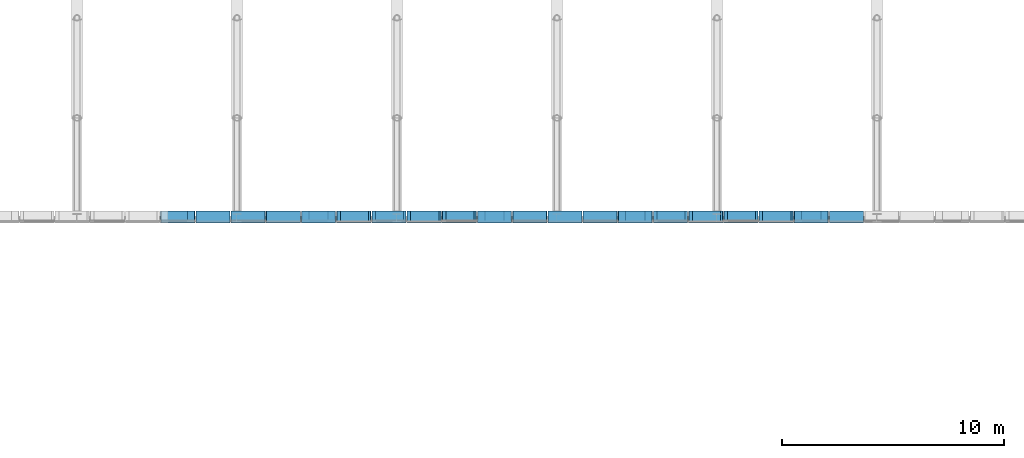
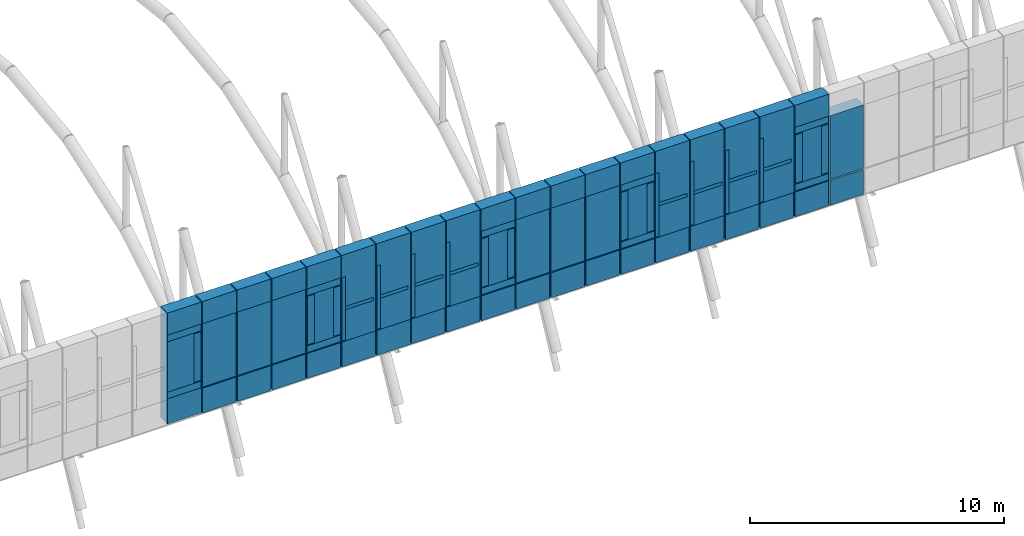
# One storey, part 115 of 144: 80 discrete accessories.
"""IFC4 building model written with IfcOpenShell, lengths in metres."""

from ifc_helpers import new_model, si_unit, direction, frame, origin, origin_2d, place, context, subcontext, project, spatial, rectangle, extrude, material, type_object, element, save


model = new_model("IFC4")

# Units and contexts
model_context = context("Model", 3, precision=1e-05, world=origin(), true_north=direction((0.0, 1.0)))
body_context = subcontext(model_context, "Body", "Model", "MODEL_VIEW")
ifc_project = project(units=[si_unit("LENGTHUNIT", "METRE"), si_unit("AREAUNIT", "SQUARE_METRE"), si_unit("VOLUMEUNIT", "CUBIC_METRE"), si_unit("PLANEANGLEUNIT", "RADIAN"), si_unit("MASSUNIT", "GRAM", prefix="KILO")], contexts=[model_context])

# Site, building, storey
site_placement = place(None, origin())
site = spatial("IfcSite", under=ifc_project, at=site_placement, CompositionType="ELEMENT")
building_placement = place(site_placement, origin())
building = spatial("IfcBuilding", under=site, at=building_placement, Name="Yarey Park Central Fire Station", CompositionType="ELEMENT")
storey_placement = place(building_placement, frame((0.0, 0.0, 10.199951171875)))
storey = spatial("IfcBuildingStorey", under=building, at=storey_placement, Name="L03", CompositionType="ELEMENT", Elevation=10.199951171875)

# Discrete accessories
ifc_material = material(Name="Stainless Steel AISI 316L", Category="steel")
discrete_accessory_type = type_object("IfcDiscreteAccessoryType", Name="ENV_BRK_SS1", PredefinedType="BRACKET", material=ifc_material)
for number, where, z_axis, x_axis, name in (
    (1, (83.736083984375, 57.64990234375, 0.81982421875), (0.0, 0.0, 1.0), (1.0, 0.0, 0.0), "BRK_PERF_L03_1428"),
    (2, (83.736083984375, 57.64990234375, 3.56005859375), (0.0, 0.0, 1.0), (1.0, 0.0, 0.0), "BRK_PERF_L03_1429"),
):
    element("IfcDiscreteAccessory", number, at=place(storey_placement, frame(where, z_axis=z_axis, x_axis=x_axis)), inside=storey, type_object=discrete_accessory_type, Name=name, PredefinedType="BRACKET", context=body_context, shape_type="SweptSolid", body=[
        extrude(rectangle(XDim=1.52392578125, YDim=0.5400390625, at=origin_2d()), origin(), (0.0, 0.0, 1.0), 0.320068359375),
    ])
discrete_accessory_1_placement = place(storey_placement, frame((84.327880859375, 57.64990234375, 1.18505859375), z_axis=(0.0, 0.0, 1.0), x_axis=(1.0, 0.0, 0.0)))
element("IfcDiscreteAccessory", 3, at=discrete_accessory_1_placement, inside=storey, type_object=discrete_accessory_type, Name="BRK_PERF_L03_1431", PredefinedType="BRACKET", context=body_context, shape_type="SweptSolid", body=[
    extrude(rectangle(XDim=0.320068359375, YDim=0.5400390625, at=origin_2d()), origin(), (0.0, 0.0, 1.0), 2.330078125),
])
discrete_accessory_2_placement = place(storey_placement, frame((83.736083984375, 57.64990234375, -0.389892578125), z_axis=(0.0, 0.0, 1.0), x_axis=(1.0, 0.0, 0.0)))
element("IfcDiscreteAccessory", 4, at=discrete_accessory_2_placement, inside=storey, type_object=discrete_accessory_type, Name="BRK_RAIL_L03_1432", PredefinedType="BRACKET", context=body_context, shape_type="SweptSolid", body=[
    extrude(rectangle(XDim=1.5439453125, YDim=0.5400390625, at=origin_2d()), origin(), (0.0, 0.0, 1.0), 5.330078125),
])
discrete_accessory_3_placement = place(storey_placement, frame((85.320068359375, 57.64990234375, -0.4248046875), z_axis=(0.0, 0.0, 1.0), x_axis=(1.0, 0.0, 0.0)))
element("IfcDiscreteAccessory", 5, at=discrete_accessory_3_placement, inside=storey, type_object=discrete_accessory_type, Name="BRK_PERF_L03_1433", PredefinedType="BRACKET", context=body_context, shape_type="SweptSolid", body=[
    extrude(rectangle(XDim=1.52392578125, YDim=0.5400390625, at=origin_2d()), origin(), (0.0, 0.0, 1.0), 1.199951171875),
])
discrete_accessory_4_placement = place(storey_placement, frame((85.320068359375, 57.64990234375, 0.8251953125), z_axis=(0.0, 0.0, 1.0), x_axis=(1.0, 0.0, 0.0)))
element("IfcDiscreteAccessory", 6, at=discrete_accessory_4_placement, inside=storey, type_object=discrete_accessory_type, Name="BRK_PERF_L03_1434", PredefinedType="BRACKET", context=body_context, shape_type="SweptSolid", body=[
    extrude(rectangle(XDim=1.52392578125, YDim=0.5400390625, at=origin_2d()), origin(), (0.0, 0.0, 1.0), 3.050048828125),
])
discrete_accessory_5_placement = place(storey_placement, frame((85.320068359375, 57.64990234375, -0.389892578125), z_axis=(0.0, 0.0, 1.0), x_axis=(1.0, 0.0, 0.0)))
element("IfcDiscreteAccessory", 7, at=discrete_accessory_5_placement, inside=storey, type_object=discrete_accessory_type, Name="BRK_RAIL_L03_1435", PredefinedType="BRACKET", context=body_context, shape_type="SweptSolid", body=[
    extrude(rectangle(XDim=1.5439453125, YDim=0.5400390625, at=origin_2d()), origin(), (0.0, 0.0, 1.0), 5.330078125),
])
discrete_accessory_6_placement = place(storey_placement, frame((86.904052734375, 57.64990234375, -0.4248046875), z_axis=(0.0, 0.0, 1.0), x_axis=(1.0, 0.0, 0.0)))
element("IfcDiscreteAccessory", 8, at=discrete_accessory_6_placement, inside=storey, type_object=discrete_accessory_type, Name="BRK_PERF_L03_1436", PredefinedType="BRACKET", context=body_context, shape_type="SweptSolid", body=[
    extrude(rectangle(XDim=1.52392578125, YDim=0.5400390625, at=origin_2d()), origin(), (0.0, 0.0, 1.0), 1.199951171875),
])
discrete_accessory_7_placement = place(storey_placement, frame((86.904052734375, 57.64990234375, 0.8251953125), z_axis=(0.0, 0.0, 1.0), x_axis=(1.0, 0.0, 0.0)))
element("IfcDiscreteAccessory", 9, at=discrete_accessory_7_placement, inside=storey, type_object=discrete_accessory_type, Name="BRK_PERF_L03_1437", PredefinedType="BRACKET", context=body_context, shape_type="SweptSolid", body=[
    extrude(rectangle(XDim=1.52392578125, YDim=0.5400390625, at=origin_2d()), origin(), (0.0, 0.0, 1.0), 3.050048828125),
])
discrete_accessory_8_placement = place(storey_placement, frame((86.904052734375, 57.64990234375, -0.389892578125), z_axis=(0.0, 0.0, 1.0), x_axis=(1.0, 0.0, 0.0)))
element("IfcDiscreteAccessory", 10, at=discrete_accessory_8_placement, inside=storey, type_object=discrete_accessory_type, Name="BRK_RAIL_L03_1438", PredefinedType="BRACKET", context=body_context, shape_type="SweptSolid", body=[
    extrude(rectangle(XDim=1.5439453125, YDim=0.5400390625, at=origin_2d()), origin(), (0.0, 0.0, 1.0), 5.330078125),
])
discrete_accessory_9_placement = place(storey_placement, frame((88.488037109375, 57.64990234375, -0.4248046875), z_axis=(0.0, 0.0, 1.0), x_axis=(1.0, 0.0, 0.0)))
element("IfcDiscreteAccessory", 11, at=discrete_accessory_9_placement, inside=storey, type_object=discrete_accessory_type, Name="BRK_PERF_L03_1439", PredefinedType="BRACKET", context=body_context, shape_type="SweptSolid", body=[
    extrude(rectangle(XDim=1.52392578125, YDim=0.5400390625, at=origin_2d()), origin(), (0.0, 0.0, 1.0), 1.199951171875),
])
discrete_accessory_10_placement = place(storey_placement, frame((88.488037109375, 57.64990234375, 0.8251953125), z_axis=(0.0, 0.0, 1.0), x_axis=(1.0, 0.0, 0.0)))
element("IfcDiscreteAccessory", 12, at=discrete_accessory_10_placement, inside=storey, type_object=discrete_accessory_type, Name="BRK_PERF_L03_1440", PredefinedType="BRACKET", context=body_context, shape_type="SweptSolid", body=[
    extrude(rectangle(XDim=1.52392578125, YDim=0.5400390625, at=origin_2d()), origin(), (0.0, 0.0, 1.0), 3.050048828125),
])
discrete_accessory_11_placement = place(storey_placement, frame((88.488037109375, 57.64990234375, -0.389892578125), z_axis=(0.0, 0.0, 1.0), x_axis=(1.0, 0.0, 0.0)))
element("IfcDiscreteAccessory", 13, at=discrete_accessory_11_placement, inside=storey, type_object=discrete_accessory_type, Name="BRK_RAIL_L03_1441", PredefinedType="BRACKET", context=body_context, shape_type="SweptSolid", body=[
    extrude(rectangle(XDim=1.5439453125, YDim=0.5400390625, at=origin_2d()), origin(), (0.0, 0.0, 1.0), 5.330078125),
])
discrete_accessory_12_placement = place(storey_placement, frame((90.072021484375, 57.64990234375, -0.4248046875), z_axis=(0.0, 0.0, 1.0), x_axis=(1.0, 0.0, 0.0)))
element("IfcDiscreteAccessory", 14, at=discrete_accessory_12_placement, inside=storey, type_object=discrete_accessory_type, Name="BRK_PERF_L03_1442", PredefinedType="BRACKET", context=body_context, shape_type="SweptSolid", body=[
    extrude(rectangle(XDim=1.52392578125, YDim=0.5400390625, at=origin_2d()), origin(), (0.0, 0.0, 1.0), 1.199951171875),
])
for number, where, z_axis, x_axis, name in (
    (15, (90.072021484375, 57.64990234375, 0.81982421875), (0.0, 0.0, 1.0), (1.0, 0.0, 0.0), "BRK_PERF_L03_1443"),
    (16, (90.072021484375, 57.64990234375, 3.56005859375), (0.0, 0.0, 1.0), (1.0, 0.0, 0.0), "BRK_PERF_L03_1444"),
):
    element("IfcDiscreteAccessory", number, at=place(storey_placement, frame(where, z_axis=z_axis, x_axis=x_axis)), inside=storey, type_object=discrete_accessory_type, Name=name, PredefinedType="BRACKET", context=body_context, shape_type="SweptSolid", body=[
        extrude(rectangle(XDim=1.52392578125, YDim=0.5400390625, at=origin_2d()), origin(), (0.0, 0.0, 1.0), 0.320068359375),
    ])
for number, where, z_axis, x_axis, name in (
    (17, (89.47998046875, 57.64990234375, 1.18505859375), (0.0, 0.0, 1.0), (1.0, 0.0, 0.0), "BRK_PERF_L03_1445"),
    (18, (90.6640625, 57.64990234375, 1.18505859375), (0.0, 0.0, 1.0), (1.0, 0.0, 0.0), "BRK_PERF_L03_1446"),
):
    element("IfcDiscreteAccessory", number, at=place(storey_placement, frame(where, z_axis=z_axis, x_axis=x_axis)), inside=storey, type_object=discrete_accessory_type, Name=name, PredefinedType="BRACKET", context=body_context, shape_type="SweptSolid", body=[
        extrude(rectangle(XDim=0.320068359375, YDim=0.5400390625, at=origin_2d()), origin(), (0.0, 0.0, 1.0), 2.330078125),
    ])
discrete_accessory_13_placement = place(storey_placement, frame((90.072021484375, 57.64990234375, -0.389892578125), z_axis=(0.0, 0.0, 1.0), x_axis=(1.0, 0.0, 0.0)))
element("IfcDiscreteAccessory", 19, at=discrete_accessory_13_placement, inside=storey, type_object=discrete_accessory_type, Name="BRK_RAIL_L03_1447", PredefinedType="BRACKET", context=body_context, shape_type="SweptSolid", body=[
    extrude(rectangle(XDim=1.5439453125, YDim=0.5400390625, at=origin_2d()), origin(), (0.0, 0.0, 1.0), 5.330078125),
])
discrete_accessory_14_placement = place(storey_placement, frame((91.656005859375, 57.64990234375, -0.4248046875), z_axis=(0.0, 0.0, 1.0), x_axis=(1.0, 0.0, 0.0)))
element("IfcDiscreteAccessory", 20, at=discrete_accessory_14_placement, inside=storey, type_object=discrete_accessory_type, Name="BRK_PERF_L03_1448", PredefinedType="BRACKET", context=body_context, shape_type="SweptSolid", body=[
    extrude(rectangle(XDim=1.52392578125, YDim=0.5400390625, at=origin_2d()), origin(), (0.0, 0.0, 1.0), 1.199951171875),
])
discrete_accessory_15_placement = place(storey_placement, frame((90.97412109375, 57.64990234375, 0.8251953125), z_axis=(0.0, 0.0, 1.0), x_axis=(1.0, 0.0, 0.0)))
element("IfcDiscreteAccessory", 21, at=discrete_accessory_15_placement, inside=storey, type_object=discrete_accessory_type, Name="BRK_PERF_L03_1449", PredefinedType="BRACKET", context=body_context, shape_type="SweptSolid", body=[
    extrude(rectangle(XDim=0.159912109375, YDim=0.5400390625, at=origin_2d()), origin(), (0.0, 0.0, 1.0), 3.050048828125),
])
discrete_accessory_16_placement = place(storey_placement, frame((91.656005859375, 57.64990234375, 2.27001953125), z_axis=(0.0, 0.0, 1.0), x_axis=(1.0, 0.0, 0.0)))
element("IfcDiscreteAccessory", 22, at=discrete_accessory_16_placement, inside=storey, type_object=discrete_accessory_type, Name="BRK_PERF_L03_1450", PredefinedType="BRACKET", context=body_context, shape_type="SweptSolid", body=[
    extrude(rectangle(XDim=1.323974609375, YDim=0.5400390625, at=origin_2d()), origin(), (0.0, 0.0, 1.0), 0.159912109375),
])
discrete_accessory_17_placement = place(storey_placement, frame((91.656005859375, 57.64990234375, -0.389892578125), z_axis=(0.0, 0.0, 1.0), x_axis=(1.0, 0.0, 0.0)))
element("IfcDiscreteAccessory", 23, at=discrete_accessory_17_placement, inside=storey, type_object=discrete_accessory_type, Name="BRK_RAIL_L03_1451", PredefinedType="BRACKET", context=body_context, shape_type="SweptSolid", body=[
    extrude(rectangle(XDim=1.5439453125, YDim=0.5400390625, at=origin_2d()), origin(), (0.0, 0.0, 1.0), 5.330078125),
])
discrete_accessory_18_placement = place(storey_placement, frame((93.239990234375, 57.64990234375, -0.4248046875), z_axis=(0.0, 0.0, 1.0), x_axis=(1.0, 0.0, 0.0)))
element("IfcDiscreteAccessory", 24, at=discrete_accessory_18_placement, inside=storey, type_object=discrete_accessory_type, Name="BRK_PERF_L03_1452", PredefinedType="BRACKET", context=body_context, shape_type="SweptSolid", body=[
    extrude(rectangle(XDim=1.52392578125, YDim=0.5400390625, at=origin_2d()), origin(), (0.0, 0.0, 1.0), 1.199951171875),
])
discrete_accessory_19_placement = place(storey_placement, frame((92.55810546875, 57.64990234375, 0.8251953125), z_axis=(0.0, 0.0, 1.0), x_axis=(1.0, 0.0, 0.0)))
element("IfcDiscreteAccessory", 25, at=discrete_accessory_19_placement, inside=storey, type_object=discrete_accessory_type, Name="BRK_PERF_L03_1453", PredefinedType="BRACKET", context=body_context, shape_type="SweptSolid", body=[
    extrude(rectangle(XDim=0.159912109375, YDim=0.5400390625, at=origin_2d()), origin(), (0.0, 0.0, 1.0), 3.050048828125),
])
discrete_accessory_20_placement = place(storey_placement, frame((93.239990234375, 57.64990234375, 2.27001953125), z_axis=(0.0, 0.0, 1.0), x_axis=(1.0, 0.0, 0.0)))
element("IfcDiscreteAccessory", 26, at=discrete_accessory_20_placement, inside=storey, type_object=discrete_accessory_type, Name="BRK_PERF_L03_1454", PredefinedType="BRACKET", context=body_context, shape_type="SweptSolid", body=[
    extrude(rectangle(XDim=1.323974609375, YDim=0.5400390625, at=origin_2d()), origin(), (0.0, 0.0, 1.0), 0.159912109375),
])
discrete_accessory_21_placement = place(storey_placement, frame((93.239990234375, 57.64990234375, -0.389892578125), z_axis=(0.0, 0.0, 1.0), x_axis=(1.0, 0.0, 0.0)))
element("IfcDiscreteAccessory", 27, at=discrete_accessory_21_placement, inside=storey, type_object=discrete_accessory_type, Name="BRK_RAIL_L03_1455", PredefinedType="BRACKET", context=body_context, shape_type="SweptSolid", body=[
    extrude(rectangle(XDim=1.5439453125, YDim=0.5400390625, at=origin_2d()), origin(), (0.0, 0.0, 1.0), 5.330078125),
])
discrete_accessory_22_placement = place(storey_placement, frame((94.823974609375, 57.64990234375, -0.4248046875), z_axis=(0.0, 0.0, 1.0), x_axis=(1.0, 0.0, 0.0)))
element("IfcDiscreteAccessory", 28, at=discrete_accessory_22_placement, inside=storey, type_object=discrete_accessory_type, Name="BRK_PERF_L03_1456", PredefinedType="BRACKET", context=body_context, shape_type="SweptSolid", body=[
    extrude(rectangle(XDim=1.52392578125, YDim=0.5400390625, at=origin_2d()), origin(), (0.0, 0.0, 1.0), 1.199951171875),
])
discrete_accessory_23_placement = place(storey_placement, frame((94.14208984375, 57.64990234375, 0.8251953125), z_axis=(0.0, 0.0, 1.0), x_axis=(1.0, 0.0, 0.0)))
element("IfcDiscreteAccessory", 29, at=discrete_accessory_23_placement, inside=storey, type_object=discrete_accessory_type, Name="BRK_PERF_L03_1457", PredefinedType="BRACKET", context=body_context, shape_type="SweptSolid", body=[
    extrude(rectangle(XDim=0.159912109375, YDim=0.5400390625, at=origin_2d()), origin(), (0.0, 0.0, 1.0), 3.050048828125),
])
discrete_accessory_24_placement = place(storey_placement, frame((94.823974609375, 57.64990234375, 2.27001953125), z_axis=(0.0, 0.0, 1.0), x_axis=(1.0, 0.0, 0.0)))
element("IfcDiscreteAccessory", 30, at=discrete_accessory_24_placement, inside=storey, type_object=discrete_accessory_type, Name="BRK_PERF_L03_1458", PredefinedType="BRACKET", context=body_context, shape_type="SweptSolid", body=[
    extrude(rectangle(XDim=1.323974609375, YDim=0.5400390625, at=origin_2d()), origin(), (0.0, 0.0, 1.0), 0.159912109375),
])
discrete_accessory_25_placement = place(storey_placement, frame((94.823974609375, 57.64990234375, -0.389892578125), z_axis=(0.0, 0.0, 1.0), x_axis=(1.0, 0.0, 0.0)))
element("IfcDiscreteAccessory", 31, at=discrete_accessory_25_placement, inside=storey, type_object=discrete_accessory_type, Name="BRK_RAIL_L03_1459", PredefinedType="BRACKET", context=body_context, shape_type="SweptSolid", body=[
    extrude(rectangle(XDim=1.5439453125, YDim=0.5400390625, at=origin_2d()), origin(), (0.0, 0.0, 1.0), 5.330078125),
])
discrete_accessory_26_placement = place(storey_placement, frame((96.407958984375, 57.64990234375, -0.4248046875), z_axis=(0.0, 0.0, 1.0), x_axis=(1.0, 0.0, 0.0)))
element("IfcDiscreteAccessory", 32, at=discrete_accessory_26_placement, inside=storey, type_object=discrete_accessory_type, Name="BRK_PERF_L03_1460", PredefinedType="BRACKET", context=body_context, shape_type="SweptSolid", body=[
    extrude(rectangle(XDim=1.52392578125, YDim=0.5400390625, at=origin_2d()), origin(), (0.0, 0.0, 1.0), 1.199951171875),
])
discrete_accessory_27_placement = place(storey_placement, frame((95.72607421875, 57.64990234375, 0.8251953125), z_axis=(0.0, 0.0, 1.0), x_axis=(1.0, 0.0, 0.0)))
element("IfcDiscreteAccessory", 33, at=discrete_accessory_27_placement, inside=storey, type_object=discrete_accessory_type, Name="BRK_PERF_L03_1461", PredefinedType="BRACKET", context=body_context, shape_type="SweptSolid", body=[
    extrude(rectangle(XDim=0.159912109375, YDim=0.5400390625, at=origin_2d()), origin(), (0.0, 0.0, 1.0), 3.050048828125),
])
discrete_accessory_28_placement = place(storey_placement, frame((96.407958984375, 57.64990234375, 2.27001953125), z_axis=(0.0, 0.0, 1.0), x_axis=(1.0, 0.0, 0.0)))
element("IfcDiscreteAccessory", 34, at=discrete_accessory_28_placement, inside=storey, type_object=discrete_accessory_type, Name="BRK_PERF_L03_1462", PredefinedType="BRACKET", context=body_context, shape_type="SweptSolid", body=[
    extrude(rectangle(XDim=1.323974609375, YDim=0.5400390625, at=origin_2d()), origin(), (0.0, 0.0, 1.0), 0.159912109375),
])
discrete_accessory_29_placement = place(storey_placement, frame((96.407958984375, 57.64990234375, -0.389892578125), z_axis=(0.0, 0.0, 1.0), x_axis=(1.0, 0.0, 0.0)))
element("IfcDiscreteAccessory", 35, at=discrete_accessory_29_placement, inside=storey, type_object=discrete_accessory_type, Name="BRK_RAIL_L03_1463", PredefinedType="BRACKET", context=body_context, shape_type="SweptSolid", body=[
    extrude(rectangle(XDim=1.5439453125, YDim=0.5400390625, at=origin_2d()), origin(), (0.0, 0.0, 1.0), 5.330078125),
])
discrete_accessory_30_placement = place(storey_placement, frame((97.991943359375, 57.64990234375, -0.4248046875), z_axis=(0.0, 0.0, 1.0), x_axis=(1.0, 0.0, 0.0)))
element("IfcDiscreteAccessory", 36, at=discrete_accessory_30_placement, inside=storey, type_object=discrete_accessory_type, Name="BRK_PERF_L03_1464", PredefinedType="BRACKET", context=body_context, shape_type="SweptSolid", body=[
    extrude(rectangle(XDim=1.52392578125, YDim=0.5400390625, at=origin_2d()), origin(), (0.0, 0.0, 1.0), 1.199951171875),
])
for number, where, z_axis, x_axis, name in (
    (37, (97.991943359375, 57.64990234375, 0.81982421875), (0.0, 0.0, 1.0), (1.0, 0.0, 0.0), "BRK_PERF_L03_1465"),
    (38, (97.991943359375, 57.64990234375, 3.56005859375), (0.0, 0.0, 1.0), (1.0, 0.0, 0.0), "BRK_PERF_L03_1466"),
):
    element("IfcDiscreteAccessory", number, at=place(storey_placement, frame(where, z_axis=z_axis, x_axis=x_axis)), inside=storey, type_object=discrete_accessory_type, Name=name, PredefinedType="BRACKET", context=body_context, shape_type="SweptSolid", body=[
        extrude(rectangle(XDim=1.52392578125, YDim=0.5400390625, at=origin_2d()), origin(), (0.0, 0.0, 1.0), 0.320068359375),
    ])
for number, where, z_axis, x_axis, name in (
    (39, (97.39990234375, 57.64990234375, 1.18505859375), (0.0, 0.0, 1.0), (1.0, 0.0, 0.0), "BRK_PERF_L03_1467"),
    (40, (98.583984375, 57.64990234375, 1.18505859375), (0.0, 0.0, 1.0), (1.0, 0.0, 0.0), "BRK_PERF_L03_1468"),
):
    element("IfcDiscreteAccessory", number, at=place(storey_placement, frame(where, z_axis=z_axis, x_axis=x_axis)), inside=storey, type_object=discrete_accessory_type, Name=name, PredefinedType="BRACKET", context=body_context, shape_type="SweptSolid", body=[
        extrude(rectangle(XDim=0.320068359375, YDim=0.5400390625, at=origin_2d()), origin(), (0.0, 0.0, 1.0), 2.330078125),
    ])
discrete_accessory_31_placement = place(storey_placement, frame((97.991943359375, 57.64990234375, -0.389892578125), z_axis=(0.0, 0.0, 1.0), x_axis=(1.0, 0.0, 0.0)))
element("IfcDiscreteAccessory", 41, at=discrete_accessory_31_placement, inside=storey, type_object=discrete_accessory_type, Name="BRK_RAIL_L03_1469", PredefinedType="BRACKET", context=body_context, shape_type="SweptSolid", body=[
    extrude(rectangle(XDim=1.5439453125, YDim=0.5400390625, at=origin_2d()), origin(), (0.0, 0.0, 1.0), 5.330078125),
])
discrete_accessory_32_placement = place(storey_placement, frame((99.575927734375, 57.64990234375, -0.4248046875), z_axis=(0.0, 0.0, 1.0), x_axis=(1.0, 0.0, 0.0)))
element("IfcDiscreteAccessory", 42, at=discrete_accessory_32_placement, inside=storey, type_object=discrete_accessory_type, Name="BRK_PERF_L03_1470", PredefinedType="BRACKET", context=body_context, shape_type="SweptSolid", body=[
    extrude(rectangle(XDim=1.52392578125, YDim=0.5400390625, at=origin_2d()), origin(), (0.0, 0.0, 1.0), 1.199951171875),
])
discrete_accessory_33_placement = place(storey_placement, frame((99.575927734375, 57.64990234375, 0.8251953125), z_axis=(0.0, 0.0, 1.0), x_axis=(1.0, 0.0, 0.0)))
element("IfcDiscreteAccessory", 43, at=discrete_accessory_33_placement, inside=storey, type_object=discrete_accessory_type, Name="BRK_PERF_L03_1471", PredefinedType="BRACKET", context=body_context, shape_type="SweptSolid", body=[
    extrude(rectangle(XDim=1.52392578125, YDim=0.5400390625, at=origin_2d()), origin(), (0.0, 0.0, 1.0), 3.050048828125),
])
discrete_accessory_34_placement = place(storey_placement, frame((99.575927734375, 57.64990234375, -0.389892578125), z_axis=(0.0, 0.0, 1.0), x_axis=(1.0, 0.0, 0.0)))
element("IfcDiscreteAccessory", 44, at=discrete_accessory_34_placement, inside=storey, type_object=discrete_accessory_type, Name="BRK_RAIL_L03_1472", PredefinedType="BRACKET", context=body_context, shape_type="SweptSolid", body=[
    extrude(rectangle(XDim=1.5439453125, YDim=0.5400390625, at=origin_2d()), origin(), (0.0, 0.0, 1.0), 5.330078125),
])
discrete_accessory_35_placement = place(storey_placement, frame((101.159912109375, 57.64990234375, -0.4248046875), z_axis=(0.0, 0.0, 1.0), x_axis=(1.0, 0.0, 0.0)))
element("IfcDiscreteAccessory", 45, at=discrete_accessory_35_placement, inside=storey, type_object=discrete_accessory_type, Name="BRK_PERF_L03_1473", PredefinedType="BRACKET", context=body_context, shape_type="SweptSolid", body=[
    extrude(rectangle(XDim=1.52392578125, YDim=0.5400390625, at=origin_2d()), origin(), (0.0, 0.0, 1.0), 1.199951171875),
])
discrete_accessory_36_placement = place(storey_placement, frame((101.159912109375, 57.64990234375, 0.8251953125), z_axis=(0.0, 0.0, 1.0), x_axis=(1.0, 0.0, 0.0)))
element("IfcDiscreteAccessory", 46, at=discrete_accessory_36_placement, inside=storey, type_object=discrete_accessory_type, Name="BRK_PERF_L03_1474", PredefinedType="BRACKET", context=body_context, shape_type="SweptSolid", body=[
    extrude(rectangle(XDim=1.52392578125, YDim=0.5400390625, at=origin_2d()), origin(), (0.0, 0.0, 1.0), 3.050048828125),
])
discrete_accessory_37_placement = place(storey_placement, frame((101.159912109375, 57.64990234375, -0.389892578125), z_axis=(0.0, 0.0, 1.0), x_axis=(1.0, 0.0, 0.0)))
element("IfcDiscreteAccessory", 47, at=discrete_accessory_37_placement, inside=storey, type_object=discrete_accessory_type, Name="BRK_RAIL_L03_1475", PredefinedType="BRACKET", context=body_context, shape_type="SweptSolid", body=[
    extrude(rectangle(XDim=1.5439453125, YDim=0.5400390625, at=origin_2d()), origin(), (0.0, 0.0, 1.0), 5.330078125),
])
discrete_accessory_38_placement = place(storey_placement, frame((102.743896484375, 57.64990234375, -0.4248046875), z_axis=(0.0, 0.0, 1.0), x_axis=(1.0, 0.0, 0.0)))
element("IfcDiscreteAccessory", 48, at=discrete_accessory_38_placement, inside=storey, type_object=discrete_accessory_type, Name="BRK_PERF_L03_1476", PredefinedType="BRACKET", context=body_context, shape_type="SweptSolid", body=[
    extrude(rectangle(XDim=1.52392578125, YDim=0.5400390625, at=origin_2d()), origin(), (0.0, 0.0, 1.0), 1.199951171875),
])
discrete_accessory_39_placement = place(storey_placement, frame((102.743896484375, 57.64990234375, 0.8251953125), z_axis=(0.0, 0.0, 1.0), x_axis=(1.0, 0.0, 0.0)))
element("IfcDiscreteAccessory", 49, at=discrete_accessory_39_placement, inside=storey, type_object=discrete_accessory_type, Name="BRK_PERF_L03_1477", PredefinedType="BRACKET", context=body_context, shape_type="SweptSolid", body=[
    extrude(rectangle(XDim=1.52392578125, YDim=0.5400390625, at=origin_2d()), origin(), (0.0, 0.0, 1.0), 3.050048828125),
])
discrete_accessory_40_placement = place(storey_placement, frame((102.743896484375, 57.64990234375, -0.389892578125), z_axis=(0.0, 0.0, 1.0), x_axis=(1.0, 0.0, 0.0)))
element("IfcDiscreteAccessory", 50, at=discrete_accessory_40_placement, inside=storey, type_object=discrete_accessory_type, Name="BRK_RAIL_L03_1478", PredefinedType="BRACKET", context=body_context, shape_type="SweptSolid", body=[
    extrude(rectangle(XDim=1.5439453125, YDim=0.5400390625, at=origin_2d()), origin(), (0.0, 0.0, 1.0), 5.330078125),
])
discrete_accessory_41_placement = place(storey_placement, frame((104.327880859375, 57.64990234375, -0.4248046875), z_axis=(0.0, 0.0, 1.0), x_axis=(1.0, 0.0, 0.0)))
element("IfcDiscreteAccessory", 51, at=discrete_accessory_41_placement, inside=storey, type_object=discrete_accessory_type, Name="BRK_PERF_L03_1479", PredefinedType="BRACKET", context=body_context, shape_type="SweptSolid", body=[
    extrude(rectangle(XDim=1.52392578125, YDim=0.5400390625, at=origin_2d()), origin(), (0.0, 0.0, 1.0), 1.199951171875),
])
for number, where, z_axis, x_axis, name in (
    (52, (104.327880859375, 57.64990234375, 0.81982421875), (0.0, 0.0, 1.0), (1.0, 0.0, 0.0), "BRK_PERF_L03_1480"),
    (53, (104.327880859375, 57.64990234375, 3.56005859375), (0.0, 0.0, 1.0), (1.0, 0.0, 0.0), "BRK_PERF_L03_1481"),
):
    element("IfcDiscreteAccessory", number, at=place(storey_placement, frame(where, z_axis=z_axis, x_axis=x_axis)), inside=storey, type_object=discrete_accessory_type, Name=name, PredefinedType="BRACKET", context=body_context, shape_type="SweptSolid", body=[
        extrude(rectangle(XDim=1.52392578125, YDim=0.5400390625, at=origin_2d()), origin(), (0.0, 0.0, 1.0), 0.320068359375),
    ])
for number, where, z_axis, x_axis, name in (
    (54, (103.736083984375, 57.64990234375, 1.18505859375), (0.0, 0.0, 1.0), (1.0, 0.0, 0.0), "BRK_PERF_L03_1482"),
    (55, (104.919921875, 57.64990234375, 1.18505859375), (0.0, 0.0, 1.0), (1.0, 0.0, 0.0), "BRK_PERF_L03_1483"),
):
    element("IfcDiscreteAccessory", number, at=place(storey_placement, frame(where, z_axis=z_axis, x_axis=x_axis)), inside=storey, type_object=discrete_accessory_type, Name=name, PredefinedType="BRACKET", context=body_context, shape_type="SweptSolid", body=[
        extrude(rectangle(XDim=0.320068359375, YDim=0.5400390625, at=origin_2d()), origin(), (0.0, 0.0, 1.0), 2.330078125),
    ])
discrete_accessory_42_placement = place(storey_placement, frame((104.327880859375, 57.64990234375, -0.389892578125), z_axis=(0.0, 0.0, 1.0), x_axis=(1.0, 0.0, 0.0)))
element("IfcDiscreteAccessory", 56, at=discrete_accessory_42_placement, inside=storey, type_object=discrete_accessory_type, Name="BRK_RAIL_L03_1484", PredefinedType="BRACKET", context=body_context, shape_type="SweptSolid", body=[
    extrude(rectangle(XDim=1.5439453125, YDim=0.5400390625, at=origin_2d()), origin(), (0.0, 0.0, 1.0), 5.330078125),
])
discrete_accessory_43_placement = place(storey_placement, frame((105.912109375, 57.64990234375, -0.4248046875), z_axis=(0.0, 0.0, 1.0), x_axis=(1.0, 0.0, 0.0)))
element("IfcDiscreteAccessory", 57, at=discrete_accessory_43_placement, inside=storey, type_object=discrete_accessory_type, Name="BRK_PERF_L03_1485", PredefinedType="BRACKET", context=body_context, shape_type="SweptSolid", body=[
    extrude(rectangle(XDim=1.52392578125, YDim=0.5400390625, at=origin_2d()), origin(), (0.0, 0.0, 1.0), 1.199951171875),
])
discrete_accessory_44_placement = place(storey_placement, frame((105.22998046875, 57.64990234375, 0.8251953125), z_axis=(0.0, 0.0, 1.0), x_axis=(1.0, 0.0, 0.0)))
element("IfcDiscreteAccessory", 58, at=discrete_accessory_44_placement, inside=storey, type_object=discrete_accessory_type, Name="BRK_PERF_L03_1486", PredefinedType="BRACKET", context=body_context, shape_type="SweptSolid", body=[
    extrude(rectangle(XDim=0.159912109375, YDim=0.5400390625, at=origin_2d()), origin(), (0.0, 0.0, 1.0), 3.050048828125),
])
discrete_accessory_45_placement = place(storey_placement, frame((105.912109375, 57.64990234375, 2.27001953125), z_axis=(0.0, 0.0, 1.0), x_axis=(1.0, 0.0, 0.0)))
element("IfcDiscreteAccessory", 59, at=discrete_accessory_45_placement, inside=storey, type_object=discrete_accessory_type, Name="BRK_PERF_L03_1487", PredefinedType="BRACKET", context=body_context, shape_type="SweptSolid", body=[
    extrude(rectangle(XDim=1.323974609375, YDim=0.5400390625, at=origin_2d()), origin(), (0.0, 0.0, 1.0), 0.159912109375),
])
discrete_accessory_46_placement = place(storey_placement, frame((105.912109375, 57.64990234375, -0.389892578125), z_axis=(0.0, 0.0, 1.0), x_axis=(1.0, 0.0, 0.0)))
element("IfcDiscreteAccessory", 60, at=discrete_accessory_46_placement, inside=storey, type_object=discrete_accessory_type, Name="BRK_RAIL_L03_1488", PredefinedType="BRACKET", context=body_context, shape_type="SweptSolid", body=[
    extrude(rectangle(XDim=1.5439453125, YDim=0.5400390625, at=origin_2d()), origin(), (0.0, 0.0, 1.0), 5.330078125),
])
discrete_accessory_47_placement = place(storey_placement, frame((107.49609375, 57.64990234375, -0.4248046875), z_axis=(0.0, 0.0, 1.0), x_axis=(1.0, 0.0, 0.0)))
element("IfcDiscreteAccessory", 61, at=discrete_accessory_47_placement, inside=storey, type_object=discrete_accessory_type, Name="BRK_PERF_L03_1489", PredefinedType="BRACKET", context=body_context, shape_type="SweptSolid", body=[
    extrude(rectangle(XDim=1.52392578125, YDim=0.5400390625, at=origin_2d()), origin(), (0.0, 0.0, 1.0), 1.199951171875),
])
discrete_accessory_48_placement = place(storey_placement, frame((106.81396484375, 57.64990234375, 0.8251953125), z_axis=(0.0, 0.0, 1.0), x_axis=(1.0, 0.0, 0.0)))
element("IfcDiscreteAccessory", 62, at=discrete_accessory_48_placement, inside=storey, type_object=discrete_accessory_type, Name="BRK_PERF_L03_1490", PredefinedType="BRACKET", context=body_context, shape_type="SweptSolid", body=[
    extrude(rectangle(XDim=0.159912109375, YDim=0.5400390625, at=origin_2d()), origin(), (0.0, 0.0, 1.0), 3.050048828125),
])
discrete_accessory_49_placement = place(storey_placement, frame((107.49609375, 57.64990234375, 2.27001953125), z_axis=(0.0, 0.0, 1.0), x_axis=(1.0, 0.0, 0.0)))
element("IfcDiscreteAccessory", 63, at=discrete_accessory_49_placement, inside=storey, type_object=discrete_accessory_type, Name="BRK_PERF_L03_1491", PredefinedType="BRACKET", context=body_context, shape_type="SweptSolid", body=[
    extrude(rectangle(XDim=1.323974609375, YDim=0.5400390625, at=origin_2d()), origin(), (0.0, 0.0, 1.0), 0.159912109375),
])
discrete_accessory_50_placement = place(storey_placement, frame((107.49609375, 57.64990234375, -0.389892578125), z_axis=(0.0, 0.0, 1.0), x_axis=(1.0, 0.0, 0.0)))
element("IfcDiscreteAccessory", 64, at=discrete_accessory_50_placement, inside=storey, type_object=discrete_accessory_type, Name="BRK_RAIL_L03_1492", PredefinedType="BRACKET", context=body_context, shape_type="SweptSolid", body=[
    extrude(rectangle(XDim=1.5439453125, YDim=0.5400390625, at=origin_2d()), origin(), (0.0, 0.0, 1.0), 5.330078125),
])
discrete_accessory_51_placement = place(storey_placement, frame((109.080078125, 57.64990234375, -0.4248046875), z_axis=(0.0, 0.0, 1.0), x_axis=(1.0, 0.0, 0.0)))
element("IfcDiscreteAccessory", 65, at=discrete_accessory_51_placement, inside=storey, type_object=discrete_accessory_type, Name="BRK_PERF_L03_1493", PredefinedType="BRACKET", context=body_context, shape_type="SweptSolid", body=[
    extrude(rectangle(XDim=1.52392578125, YDim=0.5400390625, at=origin_2d()), origin(), (0.0, 0.0, 1.0), 1.199951171875),
])
discrete_accessory_52_placement = place(storey_placement, frame((108.39794921875, 57.64990234375, 0.8251953125), z_axis=(0.0, 0.0, 1.0), x_axis=(1.0, 0.0, 0.0)))
element("IfcDiscreteAccessory", 66, at=discrete_accessory_52_placement, inside=storey, type_object=discrete_accessory_type, Name="BRK_PERF_L03_1494", PredefinedType="BRACKET", context=body_context, shape_type="SweptSolid", body=[
    extrude(rectangle(XDim=0.159912109375, YDim=0.5400390625, at=origin_2d()), origin(), (0.0, 0.0, 1.0), 3.050048828125),
])
discrete_accessory_53_placement = place(storey_placement, frame((109.080078125, 57.64990234375, 2.27001953125), z_axis=(0.0, 0.0, 1.0), x_axis=(1.0, 0.0, 0.0)))
element("IfcDiscreteAccessory", 67, at=discrete_accessory_53_placement, inside=storey, type_object=discrete_accessory_type, Name="BRK_PERF_L03_1495", PredefinedType="BRACKET", context=body_context, shape_type="SweptSolid", body=[
    extrude(rectangle(XDim=1.323974609375, YDim=0.5400390625, at=origin_2d()), origin(), (0.0, 0.0, 1.0), 0.159912109375),
])
discrete_accessory_54_placement = place(storey_placement, frame((109.080078125, 57.64990234375, -0.389892578125), z_axis=(0.0, 0.0, 1.0), x_axis=(1.0, 0.0, 0.0)))
element("IfcDiscreteAccessory", 68, at=discrete_accessory_54_placement, inside=storey, type_object=discrete_accessory_type, Name="BRK_RAIL_L03_1496", PredefinedType="BRACKET", context=body_context, shape_type="SweptSolid", body=[
    extrude(rectangle(XDim=1.5439453125, YDim=0.5400390625, at=origin_2d()), origin(), (0.0, 0.0, 1.0), 5.330078125),
])
discrete_accessory_55_placement = place(storey_placement, frame((110.6640625, 57.64990234375, -0.4248046875), z_axis=(0.0, 0.0, 1.0), x_axis=(1.0, 0.0, 0.0)))
element("IfcDiscreteAccessory", 69, at=discrete_accessory_55_placement, inside=storey, type_object=discrete_accessory_type, Name="BRK_PERF_L03_1497", PredefinedType="BRACKET", context=body_context, shape_type="SweptSolid", body=[
    extrude(rectangle(XDim=1.52392578125, YDim=0.5400390625, at=origin_2d()), origin(), (0.0, 0.0, 1.0), 1.199951171875),
])
discrete_accessory_56_placement = place(storey_placement, frame((109.98193359375, 57.64990234375, 0.8251953125), z_axis=(0.0, 0.0, 1.0), x_axis=(1.0, 0.0, 0.0)))
element("IfcDiscreteAccessory", 70, at=discrete_accessory_56_placement, inside=storey, type_object=discrete_accessory_type, Name="BRK_PERF_L03_1498", PredefinedType="BRACKET", context=body_context, shape_type="SweptSolid", body=[
    extrude(rectangle(XDim=0.159912109375, YDim=0.5400390625, at=origin_2d()), origin(), (0.0, 0.0, 1.0), 3.050048828125),
])
discrete_accessory_57_placement = place(storey_placement, frame((110.6640625, 57.64990234375, 2.27001953125), z_axis=(0.0, 0.0, 1.0), x_axis=(1.0, 0.0, 0.0)))
element("IfcDiscreteAccessory", 71, at=discrete_accessory_57_placement, inside=storey, type_object=discrete_accessory_type, Name="BRK_PERF_L03_1499", PredefinedType="BRACKET", context=body_context, shape_type="SweptSolid", body=[
    extrude(rectangle(XDim=1.323974609375, YDim=0.5400390625, at=origin_2d()), origin(), (0.0, 0.0, 1.0), 0.159912109375),
])
discrete_accessory_58_placement = place(storey_placement, frame((110.6640625, 57.64990234375, -0.389892578125), z_axis=(0.0, 0.0, 1.0), x_axis=(1.0, 0.0, 0.0)))
element("IfcDiscreteAccessory", 72, at=discrete_accessory_58_placement, inside=storey, type_object=discrete_accessory_type, Name="BRK_RAIL_L03_1500", PredefinedType="BRACKET", context=body_context, shape_type="SweptSolid", body=[
    extrude(rectangle(XDim=1.5439453125, YDim=0.5400390625, at=origin_2d()), origin(), (0.0, 0.0, 1.0), 5.330078125),
])
discrete_accessory_59_placement = place(storey_placement, frame((112.248046875, 57.64990234375, -0.4248046875), z_axis=(0.0, 0.0, 1.0), x_axis=(1.0, 0.0, 0.0)))
element("IfcDiscreteAccessory", 73, at=discrete_accessory_59_placement, inside=storey, type_object=discrete_accessory_type, Name="BRK_PERF_L03_1501", PredefinedType="BRACKET", context=body_context, shape_type="SweptSolid", body=[
    extrude(rectangle(XDim=1.52392578125, YDim=0.5400390625, at=origin_2d()), origin(), (0.0, 0.0, 1.0), 1.199951171875),
])
for number, where, z_axis, x_axis, name in (
    (74, (112.248046875, 57.64990234375, 0.81982421875), (0.0, 0.0, 1.0), (1.0, 0.0, 0.0), "BRK_PERF_L03_1502"),
    (75, (112.248046875, 57.64990234375, 3.56005859375), (0.0, 0.0, 1.0), (1.0, 0.0, 0.0), "BRK_PERF_L03_1503"),
):
    element("IfcDiscreteAccessory", number, at=place(storey_placement, frame(where, z_axis=z_axis, x_axis=x_axis)), inside=storey, type_object=discrete_accessory_type, Name=name, PredefinedType="BRACKET", context=body_context, shape_type="SweptSolid", body=[
        extrude(rectangle(XDim=1.52392578125, YDim=0.5400390625, at=origin_2d()), origin(), (0.0, 0.0, 1.0), 0.320068359375),
    ])
for number, where, z_axis, x_axis, name in (
    (76, (111.656005859375, 57.64990234375, 1.18505859375), (0.0, 0.0, 1.0), (1.0, 0.0, 0.0), "BRK_PERF_L03_1504"),
    (77, (112.840087890625, 57.64990234375, 1.18505859375), (0.0, 0.0, 1.0), (1.0, 0.0, 0.0), "BRK_PERF_L03_1505"),
):
    element("IfcDiscreteAccessory", number, at=place(storey_placement, frame(where, z_axis=z_axis, x_axis=x_axis)), inside=storey, type_object=discrete_accessory_type, Name=name, PredefinedType="BRACKET", context=body_context, shape_type="SweptSolid", body=[
        extrude(rectangle(XDim=0.320068359375, YDim=0.5400390625, at=origin_2d()), origin(), (0.0, 0.0, 1.0), 2.330078125),
    ])
discrete_accessory_60_placement = place(storey_placement, frame((112.248046875, 57.64990234375, -0.389892578125), z_axis=(0.0, 0.0, 1.0), x_axis=(1.0, 0.0, 0.0)))
element("IfcDiscreteAccessory", 78, at=discrete_accessory_60_placement, inside=storey, type_object=discrete_accessory_type, Name="BRK_RAIL_L03_1506", PredefinedType="BRACKET", context=body_context, shape_type="SweptSolid", body=[
    extrude(rectangle(XDim=1.5439453125, YDim=0.5400390625, at=origin_2d()), origin(), (0.0, 0.0, 1.0), 5.330078125),
])
discrete_accessory_61_placement = place(storey_placement, frame((113.83203125, 57.64990234375, -0.4248046875), z_axis=(0.0, 0.0, 1.0), x_axis=(1.0, 0.0, 0.0)))
element("IfcDiscreteAccessory", 79, at=discrete_accessory_61_placement, inside=storey, type_object=discrete_accessory_type, Name="BRK_PERF_L03_1507", PredefinedType="BRACKET", context=body_context, shape_type="SweptSolid", body=[
    extrude(rectangle(XDim=1.52392578125, YDim=0.5400390625, at=origin_2d()), origin(), (0.0, 0.0, 1.0), 1.199951171875),
])
discrete_accessory_62_placement = place(storey_placement, frame((113.83203125, 57.64990234375, 0.8251953125), z_axis=(0.0, 0.0, 1.0), x_axis=(1.0, 0.0, 0.0)))
element("IfcDiscreteAccessory", 80, at=discrete_accessory_62_placement, inside=storey, type_object=discrete_accessory_type, Name="BRK_PERF_L03_1508", PredefinedType="BRACKET", context=body_context, shape_type="SweptSolid", body=[
    extrude(rectangle(XDim=1.52392578125, YDim=0.5400390625, at=origin_2d()), origin(), (0.0, 0.0, 1.0), 3.050048828125),
])

save(model, "model.ifc")
